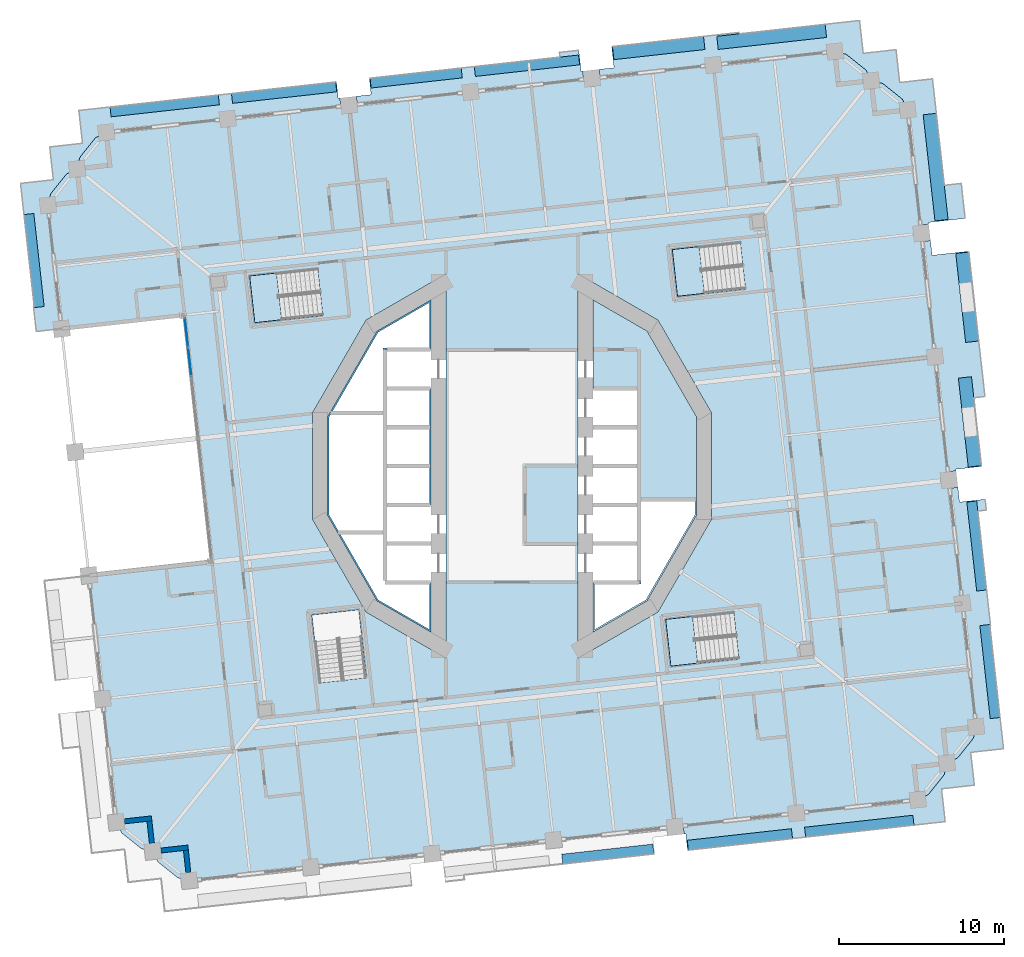
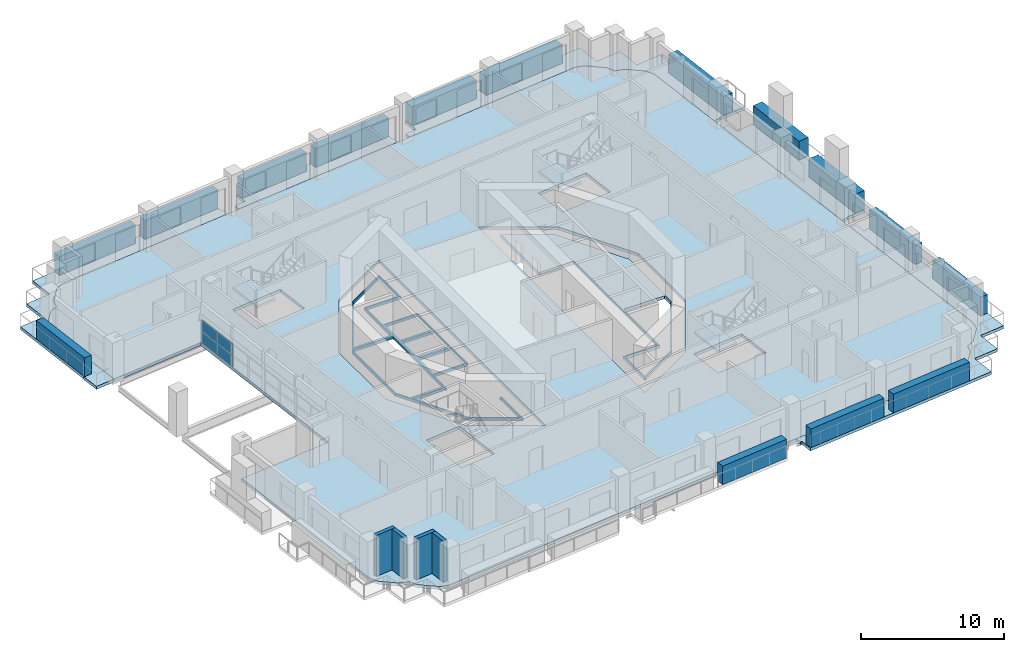
# One storey, part 6 of 21: 19 plates, 11 slabs, 4 walls, 4 elements without a shape of their own.
"""IFC4 building model written with IfcOpenShell, lengths in metres."""

from ifc_helpers import new_model, si_unit, direction, frame, frame_2d, origin, origin_2d, place, context, subcontext, project, spatial, polyline, rectangle, outline, extrude, material, layer, layer_set, type_object, element, aggregate, save


model = new_model("IFC4")

# Units and contexts
model_context = context("Model", 3, precision=1e-05, world=origin(), true_north=direction((0.0, 1.0)))
body_context = subcontext(model_context, "Body", "Model", "MODEL_VIEW")
ifc_project = project(units=[si_unit("LENGTHUNIT", "METRE"), si_unit("AREAUNIT", "SQUARE_METRE"), si_unit("VOLUMEUNIT", "CUBIC_METRE"), si_unit("PLANEANGLEUNIT", "RADIAN"), si_unit("MASSUNIT", "GRAM", prefix="KILO")], contexts=[model_context])

# Site, building, storey
site_placement = place(None, origin())
site = spatial("IfcSite", under=ifc_project, at=site_placement, CompositionType="ELEMENT")
building_placement = place(site_placement, origin())
building = spatial("IfcBuilding", under=site, at=building_placement, Name="Cantera Rosa Tower", CompositionType="ELEMENT")
storey_placement = place(building_placement, frame((0.0, 0.0, 72.89990234375)))
storey = spatial("IfcBuildingStorey", under=building, at=storey_placement, Name="L15", CompositionType="ELEMENT", Elevation=72.89990234375)

# Slabs
ifc_material_1 = material(Name="Concrete C35/45", Category="concrete")
ifc_layer_1 = layer(ifc_material_1, 0.25)
ifc_layer_set_1 = layer_set([ifc_layer_1], Name="COMPOSITE FLOOR SLAB 250 C35/45")
slab_type_1 = type_object("IfcSlabType", Name="COMPOSITE FLOOR SLAB 250 C35/45", PredefinedType="FLOOR", material=ifc_layer_set_1)
slab_1_placement = place(storey_placement, frame((0.0, 0.0, -0.25)))
element("IfcSlab", 1, at=slab_1_placement, inside=storey, type_object=slab_type_1, Name="SLAB L15 floor 1", PredefinedType="FLOOR", context=body_context, shape_type="SweptSolid", body=[
    extrude(outline(polyline([(-10.403076171875, -4.12939453125), (-8.106689453125, -8.106689453125), (-5.0, -9.900390625), (-5.0, -7.14990234375), (-5.0927734375, -7.050048828125), (-4.89990234375, -7.050048828125), (-4.89990234375, -10.07373046875), (-8.179931640625, -8.179931640625), (-11.174072265625, -2.994140625), (-11.174072265625, 2.994140625), (-8.179931640625, 8.179931640625), (-4.89990234375, 10.07373046875), (-4.89990234375, 7.050048828125), (-7.699951171875, 7.050048828125), (-7.699951171875, 4.699951171875), (-4.89990234375, 4.699951171875), (-4.89990234375, -2.35009765625), (-7.699951171875, -2.35009765625), (-7.699951171875, -4.2373046875), (-7.800048828125, -4.12939453125), (-10.403076171875, -4.12939453125)]), holes=[polyline([(-7.60009765625, -0.10009765625), (-7.60009765625, -2.25), (-5.0, -2.25), (-5.0, -0.10009765625), (-7.60009765625, -0.10009765625)]), polyline([(-11.07421875, 2.96728515625), (-11.07421875, -2.96728515625), (-10.5185546875, -3.929443359375), (-7.800048828125, -3.929443359375), (-7.800048828125, -2.449951171875), (-7.800048828125, -2.25), (-7.800048828125, 2.25), (-7.800048828125, 2.449951171875), (-7.800048828125, 3.12353515625), (-10.98388671875, 3.12353515625), (-11.07421875, 2.96728515625)]), polyline([(-7.60009765625, 2.25), (-7.60009765625, 0.10009765625), (-5.0, 0.10009765625), (-5.0, 2.25), (-7.60009765625, 2.25)]), polyline([(-7.60009765625, 2.449951171875), (-5.0, 2.449951171875), (-5.0, 4.60009765625), (-7.60009765625, 4.60009765625), (-7.60009765625, 2.449951171875)]), polyline([(-8.106689453125, 8.106689453125), (-10.868408203125, 3.323486328125), (-7.800048828125, 3.323486328125), (-7.800048828125, 7.14990234375), (-5.0, 7.14990234375), (-5.0, 9.900390625), (-8.106689453125, 8.106689453125)])]), origin(), (0.0, 0.0, 1.0), 0.25),
])
slab_2_placement = place(storey_placement, frame((0.0, 0.0, -0.25)))
element("IfcSlab", 2, at=slab_2_placement, inside=storey, type_object=slab_type_1, Name="SLAB L15 floor 2", PredefinedType="FLOOR", context=body_context, shape_type="SweptSolid", body=[
    extrude(outline(polyline([(-20.288818359375, -24.902099609375), (-21.39306640625, -24.018798828125), (-21.415283203125, -23.999267578125), (-21.435302734375, -23.9775390625), (-21.453125, -23.9541015625), (-21.468505859375, -23.92919921875), (-21.7578125, -23.342529296875), (-22.393310546875, -23.18896484375), (-22.42138671875, -23.179443359375), (-22.447998046875, -23.1669921875), (-22.473388671875, -23.15234375), (-22.497314453125, -23.135009765625), (-23.6015625, -22.25146484375), (-23.62353515625, -22.23193359375), (-23.643798828125, -22.21044921875), (-23.66162109375, -22.18701171875), (-23.677001953125, -22.161865234375), (-23.96630859375, -21.575439453125), (-25.625244140625, -6.627197265625), (-18.171142578125, -5.7998046875), (-19.830078125, 9.148193359375), (-27.284423828125, 8.321044921875), (-28.114013671875, 15.795166015625), (-27.960205078125, 16.4306640625), (-27.95068359375, 16.45849609375), (-27.9384765625, 16.4853515625), (-27.923583984375, 16.5107421875), (-27.906494140625, 16.53466796875), (-27.022705078125, 17.638916015625), (-27.00341796875, 17.660888671875), (-26.981689453125, 17.680908203125), (-26.958251953125, 17.69873046875), (-26.933349609375, 17.714111328125), (-26.3466796875, 18.00341796875), (-26.193115234375, 18.63916015625), (-26.18359375, 18.6669921875), (-26.17138671875, 18.693603515625), (-26.156494140625, 18.71923828125), (-26.139404296875, 18.742919921875), (-25.255615234375, 19.84716796875), (-25.236083984375, 19.869384765625), (-25.214599609375, 19.889404296875), (-25.191162109375, 19.9072265625), (-25.166015625, 19.922607421875), (-24.57958984375, 20.2119140625), (18.642578125, 25.00927734375), (19.54931640625, 25.10986328125), (20.18505859375, 24.9560546875), (20.212890625, 24.946533203125), (20.239501953125, 24.934326171875), (20.26513671875, 24.91943359375), (20.288818359375, 24.902099609375), (21.39306640625, 24.018798828125), (21.415283203125, 23.999267578125), (21.435302734375, 23.9775390625), (21.453125, 23.9541015625), (21.468505859375, 23.92919921875), (21.7578125, 23.342529296875), (22.393310546875, 23.18896484375), (22.42138671875, 23.179443359375), (22.447998046875, 23.1669921875), (22.473388671875, 23.15234375), (22.497314453125, 23.135009765625), (23.6015625, 22.25146484375), (23.62353515625, 22.23193359375), (23.643798828125, 22.21044921875), (23.66162109375, 22.18701171875), (23.677001953125, 22.161865234375), (23.96630859375, 21.575439453125), (28.114013671875, -15.795166015625), (27.960205078125, -16.4306640625), (27.95068359375, -16.45849609375), (27.9384765625, -16.4853515625), (27.923583984375, -16.5107421875), (27.906494140625, -16.53466796875), (27.022705078125, -17.638916015625), (27.00341796875, -17.660888671875), (26.981689453125, -17.680908203125), (26.958251953125, -17.69873046875), (26.933349609375, -17.714111328125), (26.3466796875, -18.00341796875), (26.193115234375, -18.63916015625), (26.18359375, -18.6669921875), (26.17138671875, -18.693603515625), (26.156494140625, -18.71923828125), (26.139404296875, -18.742919921875), (25.255615234375, -19.84716796875), (25.236083984375, -19.869384765625), (25.214599609375, -19.889404296875), (25.191162109375, -19.9072265625), (25.166015625, -19.922607421875), (24.57958984375, -20.2119140625), (-18.642578125, -25.00927734375), (-19.54931640625, -25.10986328125), (-20.18505859375, -24.9560546875), (-20.212890625, -24.946533203125), (-20.239501953125, -24.934326171875), (-20.26513671875, -24.91943359375), (-20.288818359375, -24.902099609375)]), holes=[polyline([(-8.83056640625, -12.822265625), (-9.287109375, -8.709716796875), (-12.11962890625, -9.02392578125), (-11.6630859375, -13.13671875), (-8.83056640625, -12.822265625)]), polyline([(-8.8388671875, 8.8388671875), (-12.07421875, 3.235107421875), (-12.07421875, -3.235107421875), (-8.8388671875, -8.8388671875), (-4.0, -11.632568359375), (-4.0, 11.632568359375), (-8.8388671875, 8.8388671875)]), polyline([(-11.46337890625, 9.13671875), (-11.777587890625, 11.969482421875), (-15.890380859375, 11.512939453125), (-15.575927734375, 8.680419921875), (-11.46337890625, 9.13671875)]), polyline([(13.42236328125, -8.83056640625), (9.3095703125, -9.287109375), (9.6240234375, -12.11962890625), (13.73681640625, -11.6630859375), (13.42236328125, -8.83056640625)]), polyline([(4.0, -11.632568359375), (8.8388671875, -8.8388671875), (12.07421875, -3.235107421875), (12.07421875, 3.235107421875), (8.8388671875, 8.8388671875), (4.0, 11.632568359375), (4.0, -11.632568359375)]), polyline([(14.13671875, 10.73681640625), (13.822265625, 13.5693359375), (9.709716796875, 13.11279296875), (10.02392578125, 10.2802734375), (14.13671875, 10.73681640625)])]), origin(), (0.0, 0.0, 1.0), 0.25),
])
slab_3_placement = place(storey_placement, frame((0.0, 0.0, -0.25)))
element("IfcSlab", 3, at=slab_3_placement, inside=storey, type_object=slab_type_1, Name="SLAB L15 floor 3", PredefinedType="FLOOR", context=body_context, shape_type="SweptSolid", body=[
    extrude(outline(polyline([(7.699951171875, 0.0), (7.699951171875, 2.35009765625), (7.699951171875, 4.699951171875), (4.89990234375, 4.699951171875), (4.89990234375, 10.07373046875), (8.179931640625, 8.179931640625), (11.174072265625, 2.994140625), (11.174072265625, -2.994140625), (8.179931640625, -8.179931640625), (4.89990234375, -10.07373046875), (4.89990234375, -7.050048828125), (7.699951171875, -7.050048828125), (7.699951171875, -4.699951171875), (7.699951171875, -2.35009765625), (7.699951171875, 0.0)]), holes=[polyline([(7.800048828125, -2.25), (7.800048828125, -2.449951171875), (7.800048828125, -7.14990234375), (5.0, -7.14990234375), (5.0, -9.900390625), (8.106689453125, -8.106689453125), (11.07421875, -2.96728515625), (11.07421875, -2.11474609375), (7.800048828125, -2.11474609375), (7.800048828125, -2.25)])]), origin(), (0.0, 0.0, 1.0), 0.25),
])

# Curtain wall, plates
ifc_material_2 = material(Name="Aluminium frame with clear glass", Category="aluminium")
curtain_wall_type = type_object("IfcCurtainWallType", Name="CW1 TERRACE POCKET GLAZING", PredefinedType="NOTDEFINED", material=ifc_material_2)
curtain_wall_placement = place(storey_placement, origin())
curtain_wall = element("IfcCurtainWall", 4, at=curtain_wall_placement, inside=storey, type_object=curtain_wall_type, Name="CW1 CW1", PredefinedType="NOTDEFINED")
ifc_material_3 = material(Name="Aluminium frame with clear glass", Category="aluminium")
ifc_layer_2 = layer(ifc_material_3, 0.028076171875)
ifc_layer_set_2 = layer_set([ifc_layer_2], Name="CW-PANEL POCKET")
plate_type_1 = type_object("IfcPlateType", Name="CW-PANEL POCKET", PredefinedType="CURTAIN_PANEL", material=ifc_layer_set_2)
plate_1_placement = place(storey_placement, frame((-19.712890625, 8.09033203125, 0.06005859375), z_axis=(0.0, 0.0, 1.0), x_axis=(0.110312555508, -0.993896946417, 0.0)))
plate_1 = element("IfcPlate", 5, at=plate_1_placement, type_object=plate_type_1, Name="CW1 panel 1.1", PredefinedType="CURTAIN_PANEL", context=body_context, shape_type="SweptSolid", body=[
    extrude(rectangle(XDim=1.7587890625, YDim=0.028076171875, at=origin_2d()), origin(), (0.0, 0.0, 1.0), 0.9619140625),
])
plate_2_placement = place(storey_placement, frame((-19.712890625, 8.09033203125, 1.08203125), z_axis=(0.0, 0.0, 1.0), x_axis=(0.110312555508, -0.993896946417, 0.0)))
plate_2 = element("IfcPlate", 6, at=plate_2_placement, type_object=plate_type_1, Name="CW1 panel 1.2", PredefinedType="CURTAIN_PANEL", context=body_context, shape_type="SweptSolid", body=[
    extrude(rectangle(XDim=1.7587890625, YDim=0.028076171875, at=origin_2d()), origin(), (0.0, 0.0, 1.0), 0.9619140625),
])
plate_3_placement = place(storey_placement, frame((-19.510498046875, 6.267822265625, 0.06005859375), z_axis=(0.0, 0.0, 1.0), x_axis=(0.110312555508, -0.993896946417, 0.0)))
plate_3 = element("IfcPlate", 7, at=plate_3_placement, type_object=plate_type_1, Name="CW1 panel 2.1", PredefinedType="CURTAIN_PANEL", context=body_context, shape_type="SweptSolid", body=[
    extrude(rectangle(XDim=1.788818359375, YDim=0.028076171875, at=origin_2d()), origin(), (0.0, 0.0, 1.0), 0.9619140625),
])
plate_4_placement = place(storey_placement, frame((-19.510498046875, 6.267822265625, 1.08203125), z_axis=(0.0, 0.0, 1.0), x_axis=(0.110312555508, -0.993896946417, 0.0)))
plate_4 = element("IfcPlate", 8, at=plate_4_placement, type_object=plate_type_1, Name="CW1 panel 2.2", PredefinedType="CURTAIN_PANEL", context=body_context, shape_type="SweptSolid", body=[
    extrude(rectangle(XDim=1.788818359375, YDim=0.028076171875, at=origin_2d()), origin(), (0.0, 0.0, 1.0), 0.9619140625),
])
aggregate(curtain_wall, [plate_1, plate_2, plate_3, plate_4])

# Slabs
ifc_material_4 = material(Name="Concrete C35/45", Category="concrete")
ifc_layer_3 = layer(ifc_material_4, 0.25)
ifc_layer_set_3 = layer_set([ifc_layer_3], Name="LOGGIA SLAB 250 C35/45")
slab_type_2 = type_object("IfcSlabType", Name="LOGGIA SLAB 250 C35/45", PredefinedType="FLOOR", material=ifc_layer_set_3)
slab_4_placement = place(storey_placement, frame((0.0, 0.0, -0.25)))
element("IfcSlab", 9, at=slab_4_placement, inside=storey, type_object=slab_type_2, Name="LOGGIA SLAB L15 2", PredefinedType="FLOOR", context=body_context, shape_type="SweptSolid", body=[
    extrude(outline(polyline([(-28.9453125, 9.686279296875), (-29.604736328125, 15.629638671875), (-29.770263671875, 17.12060546875), (-28.279296875, 17.285888671875), (-27.782470703125, 17.341064453125), (-27.837646484375, 17.837890625), (-28.003173828125, 19.328857421875), (-26.51220703125, 19.494384765625), (-26.015380859375, 19.549560546875), (-26.070556640625, 20.04638671875), (-26.236083984375, 21.537353515625), (-24.7451171875, 21.702880859375), (-18.881103515625, 22.353515625), (-15.8994140625, 22.6845703125), (-11.5263671875, 23.169921875), (-10.6318359375, 23.269287109375), (-10.521484375, 22.275390625), (-10.422119140625, 22.286376953125), (-10.366943359375, 21.789306640625), (-24.57958984375, 20.2119140625), (-25.166015625, 19.922607421875), (-25.191162109375, 19.9072265625), (-25.214599609375, 19.889404296875), (-25.236083984375, 19.869384765625), (-25.255615234375, 19.84716796875), (-26.139404296875, 18.742919921875), (-26.156494140625, 18.71923828125), (-26.17138671875, 18.693603515625), (-26.18359375, 18.6669921875), (-26.193115234375, 18.63916015625), (-26.3466796875, 18.00341796875), (-26.933349609375, 17.714111328125), (-26.958251953125, 17.69873046875), (-26.981689453125, 17.680908203125), (-27.00341796875, 17.660888671875), (-27.022705078125, 17.638916015625), (-27.906494140625, 16.53466796875), (-27.923583984375, 16.5107421875), (-27.9384765625, 16.4853515625), (-27.95068359375, 16.45849609375), (-27.960205078125, 16.4306640625), (-28.114013671875, 15.795166015625), (-27.284423828125, 8.321044921875), (-28.815185546875, 8.151123046875), (-28.985107421875, 9.681884765625), (-28.9453125, 9.686279296875)])), origin(), (0.0, 0.0, 1.0), 0.25),
])
slab_5_placement = place(storey_placement, frame((0.0, 0.0, -0.25)))
element("IfcSlab", 10, at=slab_5_placement, inside=storey, type_object=slab_type_2, Name="LOGGIA SLAB L15 4", PredefinedType="FLOOR", context=body_context, shape_type="SweptSolid", body=[
    extrude(outline(polyline([(-1.189697265625, 24.317138671875), (2.89990234375, 24.77099609375), (2.868408203125, 25.054443359375), (4.04638671875, 25.185302734375), (4.188232421875, 23.907958984375), (4.28759765625, 23.9189453125), (4.3427734375, 23.422119140625), (-9.373046875, 21.899658203125), (-9.42822265625, 22.396484375), (-8.53369140625, 22.495849609375), (-8.64404296875, 23.48974609375), (-8.544677734375, 23.5009765625), (-4.17138671875, 23.986083984375), (-1.189697265625, 24.317138671875)])), origin(), (0.0, 0.0, 1.0), 0.25),
])
slab_6_placement = place(storey_placement, frame((0.0, 0.0, -0.25)))
element("IfcSlab", 11, at=slab_6_placement, inside=storey, type_object=slab_type_2, Name="LOGGIA SLAB L15 6", PredefinedType="FLOOR", context=body_context, shape_type="SweptSolid", body=[
    extrude(outline(polyline([(19.36181640625, 26.79931640625), (21.051513671875, 26.98681640625), (21.239013671875, 25.29736328125), (21.272216796875, 24.999267578125), (21.5703125, 25.0322265625), (23.260009765625, 25.2197265625), (23.447509765625, 23.5302734375), (23.48046875, 23.23193359375), (23.77880859375, 23.26513671875), (25.46826171875, 23.45263671875), (25.65576171875, 21.762939453125), (26.183837890625, 17.0048828125), (27.21044921875, 17.118896484375), (27.445556640625, 14.9990234375), (25.2265625, 14.752685546875), (25.237548828125, 14.653564453125), (24.740478515625, 14.598388671875), (23.96630859375, 21.575439453125), (23.677001953125, 22.161865234375), (23.66162109375, 22.18701171875), (23.643798828125, 22.21044921875), (23.62353515625, 22.23193359375), (23.6015625, 22.25146484375), (22.497314453125, 23.135009765625), (22.473388671875, 23.15234375), (22.447998046875, 23.1669921875), (22.42138671875, 23.179443359375), (22.393310546875, 23.18896484375), (21.7578125, 23.342529296875), (21.468505859375, 23.92919921875), (21.453125, 23.9541015625), (21.435302734375, 23.9775390625), (21.415283203125, 23.999267578125), (21.39306640625, 24.018798828125), (20.288818359375, 24.902099609375), (20.26513671875, 24.91943359375), (20.239501953125, 24.934326171875), (20.212890625, 24.946533203125), (20.18505859375, 24.9560546875), (19.54931640625, 25.10986328125), (18.642578125, 25.00927734375), (5.336669921875, 23.5322265625), (5.281494140625, 24.029296875), (6.176025390625, 24.12841796875), (6.0341796875, 25.406005859375), (13.77197265625, 26.2646484375), (13.78125, 26.179931640625), (19.36181640625, 26.79931640625)])), origin(), (0.0, 0.0, 1.0), 0.25),
])
slab_7_placement = place(storey_placement, frame((0.0, 0.0, -0.25)))
element("IfcSlab", 12, at=slab_7_placement, inside=storey, type_object=slab_type_2, Name="LOGGIA SLAB L15 7", PredefinedType="FLOOR", context=body_context, shape_type="SweptSolid", body=[
    extrude(outline(polyline([(28.985107421875, -9.681884765625), (28.9453125, -9.686279296875), (29.604736328125, -15.629638671875), (29.770263671875, -17.12060546875), (28.279296875, -17.285888671875), (27.782470703125, -17.341064453125), (27.837646484375, -17.837890625), (28.003173828125, -19.328857421875), (26.51220703125, -19.494384765625), (26.015380859375, -19.549560546875), (26.070556640625, -20.04638671875), (26.236083984375, -21.537353515625), (24.7451171875, -21.702880859375), (18.881103515625, -22.353515625), (15.8994140625, -22.6845703125), (11.5263671875, -23.169921875), (10.6318359375, -23.269287109375), (10.521484375, -22.275390625), (10.422119140625, -22.286376953125), (10.366943359375, -21.789306640625), (24.57958984375, -20.2119140625), (25.166015625, -19.922607421875), (25.191162109375, -19.9072265625), (25.214599609375, -19.889404296875), (25.236083984375, -19.869384765625), (25.255615234375, -19.84716796875), (26.139404296875, -18.742919921875), (26.156494140625, -18.71923828125), (26.17138671875, -18.693603515625), (26.18359375, -18.6669921875), (26.193115234375, -18.63916015625), (26.3466796875, -18.00341796875), (26.933349609375, -17.714111328125), (26.958251953125, -17.69873046875), (26.981689453125, -17.680908203125), (27.00341796875, -17.660888671875), (27.022705078125, -17.638916015625), (27.906494140625, -16.53466796875), (27.923583984375, -16.5107421875), (27.9384765625, -16.4853515625), (27.95068359375, -16.45849609375), (27.960205078125, -16.4306640625), (28.114013671875, -15.795166015625), (26.510009765625, -1.34375), (27.007080078125, -1.288818359375), (27.106201171875, -2.18310546875), (28.65625, -2.010986328125), (28.72900390625, -2.66650390625), (28.212890625, -2.723876953125), (28.985107421875, -9.681884765625)])), origin(), (0.0, 0.0, 1.0), 0.25),
])
slab_8_placement = place(storey_placement, frame((0.0, 0.0, -0.25)))
element("IfcSlab", 13, at=slab_8_placement, inside=storey, type_object=slab_type_2, Name="LOGGIA SLAB L15 8", PredefinedType="FLOOR", context=body_context, shape_type="SweptSolid", body=[
    extrude(outline(polyline([(28.435546875, -0.023193359375), (26.885498046875, -0.1953125), (26.896728515625, -0.294921875), (26.399658203125, -0.349853515625), (24.850830078125, 13.6044921875), (25.347900390625, 13.65966796875), (25.447265625, 12.764892578125), (27.666259765625, 13.01123046875), (28.642822265625, 4.212646484375), (27.9736328125, 4.138427734375), (28.435546875, -0.023193359375)])), origin(), (0.0, 0.0, 1.0), 0.25),
])

# Plates
ifc_material_5 = material(Name="Cantera stone planter with soil", Category="masonry")
plate_type_2 = type_object("IfcPlateType", Name="PLANTER 600", PredefinedType="USERDEFINED", material=ifc_material_5)
plate_5_placement = place(storey_placement, frame((28.94970703125, -12.447509765625, 0.0), z_axis=(0.0, 0.0, 1.0), x_axis=(-0.110312555526, 0.993896946415, 0.0)))
element("IfcPlate", 14, at=plate_5_placement, inside=storey, type_object=plate_type_2, Name="PLANTER L15-01", ObjectType="PLANTER", PredefinedType="USERDEFINED", context=body_context, shape_type="SweptSolid", body=[
    extrude(rectangle(XDim=5.669921875, YDim=0.60009765625, at=origin_2d()), origin(), (0.0, 0.0, 1.0), 1.60009765625),
])
plate_6_placement = place(storey_placement, frame((28.146240234375, -4.8447265625, 0.0), z_axis=(0.0, 0.0, 1.0), x_axis=(-0.110312555526, 0.993896946415, 0.0)))
element("IfcPlate", 15, at=plate_6_placement, inside=storey, type_object=plate_type_2, Name="PLANTER L15-02", ObjectType="PLANTER", PredefinedType="USERDEFINED", context=body_context, shape_type="SweptSolid", body=[
    extrude(rectangle(XDim=5.419921875, YDim=0.60009765625, at=origin_2d()), origin(), (0.0, 0.0, 1.0), 1.60009765625),
])
plate_7_placement = place(storey_placement, frame((0.90576171875, 24.247802734375, 0.0), z_axis=(0.0, 0.0, 1.0), x_axis=(-0.993896946415, -0.110312555526, 0.0)))
element("IfcPlate", 16, at=plate_7_placement, inside=storey, type_object=plate_type_2, Name="PLANTER L15-08", ObjectType="PLANTER", PredefinedType="USERDEFINED", context=body_context, shape_type="SweptSolid", body=[
    extrude(rectangle(XDim=6.35009765625, YDim=0.60009765625, at=origin_2d()), origin(), (0.0, 0.0, 1.0), 1.60009765625),
])
plate_8_placement = place(storey_placement, frame((-5.80322265625, 23.503173828125, 0.0), z_axis=(0.0, 0.0, 1.0), x_axis=(-0.993896946415, -0.110312555526, 0.0)))
element("IfcPlate", 17, at=plate_8_placement, inside=storey, type_object=plate_type_2, Name="PLANTER L15-09", ObjectType="PLANTER", PredefinedType="USERDEFINED", context=body_context, shape_type="SweptSolid", body=[
    extrude(rectangle(XDim=5.550048828125, YDim=0.60009765625, at=origin_2d()), origin(), (0.0, 0.0, 1.0), 1.60009765625),
])
plate_9_placement = place(storey_placement, frame((-13.803955078125, 22.615234375, 0.0), z_axis=(0.0, 0.0, 1.0), x_axis=(-0.993896946415, -0.110312555526, 0.0)))
element("IfcPlate", 18, at=plate_9_placement, inside=storey, type_object=plate_type_2, Name="PLANTER L15-10", ObjectType="PLANTER", PredefinedType="USERDEFINED", context=body_context, shape_type="SweptSolid", body=[
    extrude(rectangle(XDim=6.35009765625, YDim=0.60009765625, at=origin_2d()), origin(), (0.0, 0.0, 1.0), 1.60009765625),
])
plate_10_placement = place(storey_placement, frame((-21.03466796875, 21.812744140625, 0.0), z_axis=(0.0, 0.0, 1.0), x_axis=(-0.993896946415, -0.110312555526, 0.0)))
element("IfcPlate", 19, at=plate_10_placement, inside=storey, type_object=plate_type_2, Name="PLANTER L15-11", ObjectType="PLANTER", PredefinedType="USERDEFINED", context=body_context, shape_type="SweptSolid", body=[
    extrude(rectangle(XDim=6.60009765625, YDim=0.60009765625, at=origin_2d()), origin(), (0.0, 0.0, 1.0), 1.60009765625),
])
plate_11_placement = place(storey_placement, frame((-28.94970703125, 12.447509765625, 0.0), z_axis=(0.0, 0.0, 1.0), x_axis=(0.110312555526, -0.993896946415, 0.0)))
element("IfcPlate", 20, at=plate_11_placement, inside=storey, type_object=plate_type_2, Name="PLANTER L15-12", ObjectType="PLANTER", PredefinedType="USERDEFINED", context=body_context, shape_type="SweptSolid", body=[
    extrude(rectangle(XDim=5.669921875, YDim=0.60009765625, at=origin_2d()), origin(), (0.0, 0.0, 1.0), 1.60009765625),
])
plate_12_placement = place(storey_placement, frame((5.80322265625, -23.503173828125, 0.0), z_axis=(0.0, 0.0, 1.0), x_axis=(0.993896946415, 0.110312555526, 0.0)))
element("IfcPlate", 21, at=plate_12_placement, inside=storey, type_object=plate_type_2, Name="PLANTER L15-20", ObjectType="PLANTER", PredefinedType="USERDEFINED", context=body_context, shape_type="SweptSolid", body=[
    extrude(rectangle(XDim=5.550048828125, YDim=0.60009765625, at=origin_2d()), origin(), (0.0, 0.0, 1.0), 1.60009765625),
])
plate_13_placement = place(storey_placement, frame((13.803955078125, -22.615234375, 0.0), z_axis=(0.0, 0.0, 1.0), x_axis=(0.993896946415, 0.110312555526, 0.0)))
element("IfcPlate", 22, at=plate_13_placement, inside=storey, type_object=plate_type_2, Name="PLANTER L15-21", ObjectType="PLANTER", PredefinedType="USERDEFINED", context=body_context, shape_type="SweptSolid", body=[
    extrude(rectangle(XDim=6.35009765625, YDim=0.60009765625, at=origin_2d()), origin(), (0.0, 0.0, 1.0), 1.60009765625),
])
plate_14_placement = place(storey_placement, frame((21.03466796875, -21.812744140625, 0.0), z_axis=(0.0, 0.0, 1.0), x_axis=(0.993896946415, 0.110312555526, 0.0)))
element("IfcPlate", 23, at=plate_14_placement, inside=storey, type_object=plate_type_2, Name="PLANTER L15-22", ObjectType="PLANTER", PredefinedType="USERDEFINED", context=body_context, shape_type="SweptSolid", body=[
    extrude(rectangle(XDim=6.60009765625, YDim=0.60009765625, at=origin_2d()), origin(), (0.0, 0.0, 1.0), 1.60009765625),
])
ifc_material_6 = material(Name="Cantera stone planter with soil", Category="masonry")
plate_type_3 = type_object("IfcPlateType", Name="PLANTER 800", PredefinedType="USERDEFINED", material=ifc_material_6)
for number, where, z_axis, x_axis, name in (
    (24, (27.733642578125, 2.67578125, 0.0), (0.0, 0.0, 1.0), (-0.110312555526, 0.993896946415, 0.0), "PLANTER L15-03"),
    (25, (27.5732421875, 10.22412109375, 0.0), (0.0, 0.0, 1.0), (-0.110312555526, 0.993896946415, 0.0), "PLANTER L15-04"),
):
    element("IfcPlate", number, at=place(storey_placement, frame(where, z_axis=z_axis, x_axis=x_axis)), inside=storey, type_object=plate_type_3, Name=name, ObjectType="PLANTER", PredefinedType="USERDEFINED", context=body_context, shape_type="SweptSolid", body=[
        extrude(rectangle(XDim=5.419921875, YDim=0.800048828125, at=origin_2d()), origin(), (0.0, 0.0, 1.0), 1.60009765625),
    ])
plate_15_placement = place(storey_placement, frame((25.6591796875, 18.10595703125, 0.0), z_axis=(0.0, 0.0, 1.0), x_axis=(-0.110312555526, 0.993896946415, 0.0)))
element("IfcPlate", 26, at=plate_15_placement, inside=storey, type_object=plate_type_3, Name="PLANTER L15-05", ObjectType="PLANTER", PredefinedType="USERDEFINED", context=body_context, shape_type="SweptSolid", body=[
    extrude(rectangle(XDim=6.469970703125, YDim=0.800048828125, at=origin_2d()), origin(), (0.0, 0.0, 1.0), 1.60009765625),
])
plate_16_placement = place(storey_placement, frame((15.728515625, 25.99365234375, 0.0), z_axis=(0.0, 0.0, 1.0), x_axis=(-0.993896946415, -0.110312555526, 0.0)))
element("IfcPlate", 27, at=plate_16_placement, inside=storey, type_object=plate_type_3, Name="PLANTER L15-06", ObjectType="PLANTER", PredefinedType="USERDEFINED", context=body_context, shape_type="SweptSolid", body=[
    extrude(rectangle(XDim=6.60009765625, YDim=0.800048828125, at=origin_2d()), origin(), (0.0, 0.0, 1.0), 1.60009765625),
])
plate_17_placement = place(storey_placement, frame((8.88623046875, 25.320068359375, 0.0), z_axis=(0.0, 0.0, 1.0), x_axis=(-0.993896946415, -0.110312555526, 0.0)))
element("IfcPlate", 28, at=plate_17_placement, inside=storey, type_object=plate_type_3, Name="PLANTER L15-07", ObjectType="PLANTER", PredefinedType="USERDEFINED", context=body_context, shape_type="SweptSolid", body=[
    extrude(rectangle(XDim=5.550048828125, YDim=0.800048828125, at=origin_2d()), origin(), (0.0, 0.0, 1.0), 1.60009765625),
])

# Stair, slab
ifc_material_7 = material(Name="Concrete C35/45", Category="concrete")
stair_type = type_object("IfcStairType", Name="EXIT STAIR 1350 DOGLEG", PredefinedType="HALF_TURN_STAIR", material=ifc_material_7)
stair_1_placement = place(storey_placement, origin())
stair_1 = element("IfcStair", 29, at=stair_1_placement, inside=storey, type_object=stair_type, Name="L15 ST-11", PredefinedType="HALF_TURN_STAIR")
ifc_material_8 = material(Name="Concrete C35/45", Category="concrete")
ifc_layer_4 = layer(ifc_material_8, 0.199951171875)
ifc_layer_set_4 = layer_set([ifc_layer_4], Name="STAIR LANDING 200")
slab_type_3 = type_object("IfcSlabType", Name="STAIR LANDING 200", PredefinedType="LANDING", material=ifc_layer_set_4)
slab_9_placement = place(storey_placement, frame((0.0, 0.0, 1.7001953125)))
slab_9 = element("IfcSlab", 30, at=slab_9_placement, type_object=slab_type_3, Name="ST-11 landing 1", PredefinedType="LANDING", context=body_context, shape_type="SweptSolid", body=[
    extrude(outline(polyline([(11.341552734375, 13.294189453125), (9.70947265625, 13.113037109375), (10.02392578125, 10.2802734375), (11.656005859375, 10.46142578125), (11.341552734375, 13.294189453125)])), origin(), (0.0, 0.0, 1.0), 0.199951171875),
])
aggregate(stair_1, [slab_9])

stair_2_placement = place(storey_placement, origin())
stair_2 = element("IfcStair", 31, at=stair_2_placement, inside=storey, type_object=stair_type, Name="L15 ST-12", PredefinedType="HALF_TURN_STAIR")
slab_10_placement = place(storey_placement, frame((0.0, 0.0, 1.7001953125)))
slab_10 = element("IfcSlab", 32, at=slab_10_placement, type_object=slab_type_3, Name="ST-12 landing 1", PredefinedType="LANDING", context=body_context, shape_type="SweptSolid", body=[
    extrude(outline(polyline([(-14.258544921875, 11.694091796875), (-15.890380859375, 11.512939453125), (-15.575927734375, 8.680419921875), (-13.944091796875, 8.861572265625), (-14.258544921875, 11.694091796875)])), origin(), (0.0, 0.0, 1.0), 0.199951171875),
])
aggregate(stair_2, [slab_10])

stair_3_placement = place(storey_placement, origin())
stair_3 = element("IfcStair", 33, at=stair_3_placement, inside=storey, type_object=stair_type, Name="L15 ST-14", PredefinedType="HALF_TURN_STAIR")
slab_11_placement = place(storey_placement, frame((0.0, 0.0, 1.7001953125)))
slab_11 = element("IfcSlab", 34, at=slab_11_placement, type_object=slab_type_3, Name="ST-14 landing 1", PredefinedType="LANDING", context=body_context, shape_type="SweptSolid", body=[
    extrude(outline(polyline([(10.941650390625, -9.10595703125), (9.3095703125, -9.287109375), (9.6240234375, -12.11962890625), (11.255859375, -11.9384765625), (10.941650390625, -9.10595703125)])), origin(), (0.0, 0.0, 1.0), 0.199951171875),
])
aggregate(stair_3, [slab_11])

# Walls
ifc_material_9 = material(Name="Hollow clay masonry with cantera stone cladding", Category="masonry")
ifc_layer_5 = layer(ifc_material_9, 0.300048828125)
ifc_layer_set_5 = layer_set([ifc_layer_5], Name="EW-LOGGIA 300")
wall_type = type_object("IfcWallType", Name="EW-LOGGIA 300", PredefinedType="SOLIDWALL", material=ifc_layer_set_5)
wall_1_placement = place(storey_placement, frame((-23.46923828125, -21.520263671875, 0.0), z_axis=(0.0, 0.0, 1.0), x_axis=(0.993905369514, 0.110236638423, 0.0)))
element("IfcWall", 35, at=wall_1_placement, inside=storey, type_object=wall_type, Name="EN-L15-W21a", PredefinedType="SOLIDWALL", context=body_context, shape_type="SweptSolid", body=[
    extrude(rectangle(XDim=1.64990234375, YDim=0.300048828125, at=frame_2d((0.824951171875, 0.0))), origin(), (0.0, 0.0, 1.0), 3.5),
])
wall_2_placement = place(storey_placement, frame((-21.9619140625, -21.50390625, 0.0), z_axis=(0.0, 0.0, 1.0), x_axis=(0.110312435488, -0.993896959738, 0.0)))
element("IfcWall", 36, at=wall_2_placement, inside=storey, type_object=wall_type, Name="EN-L15-W21b", PredefinedType="SOLIDWALL", context=body_context, shape_type="SweptSolid", body=[
    extrude(rectangle(XDim=1.35009765625, YDim=0.300048828125, at=frame_2d((0.675048828125, 0.0))), origin(), (0.0, 0.0, 1.0), 3.5),
])
wall_3_placement = place(storey_placement, frame((-21.2607421875, -23.287353515625, 0.0), z_axis=(0.0, 0.0, 1.0), x_axis=(0.993905369514, 0.110236638423, 0.0)))
element("IfcWall", 37, at=wall_3_placement, inside=storey, type_object=wall_type, Name="EN-L15-W22a", PredefinedType="SOLIDWALL", context=body_context, shape_type="SweptSolid", body=[
    extrude(rectangle(XDim=1.64990234375, YDim=0.300048828125, at=frame_2d((0.824951171875, 0.0))), origin(), (0.0, 0.0, 1.0), 3.5),
])
wall_4_placement = place(storey_placement, frame((-19.75341796875, -23.27099609375, 0.0), z_axis=(0.0, 0.0, 1.0), x_axis=(0.110312435488, -0.993896959738, 0.0)))
element("IfcWall", 38, at=wall_4_placement, inside=storey, type_object=wall_type, Name="EN-L15-W22b", PredefinedType="SOLIDWALL", context=body_context, shape_type="SweptSolid", body=[
    extrude(rectangle(XDim=1.35009765625, YDim=0.300048828125, at=frame_2d((0.675048828125, 0.0))), origin(), (0.0, 0.0, 1.0), 3.5),
])

save(model, "model.ifc")
